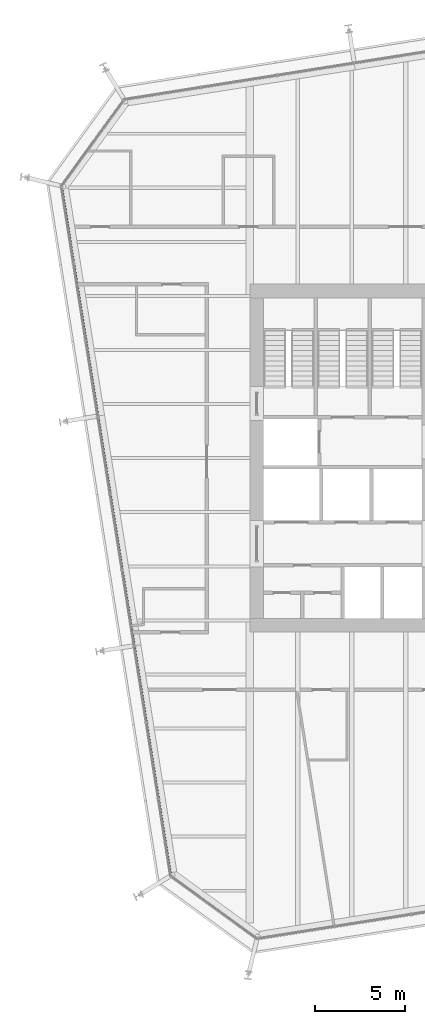
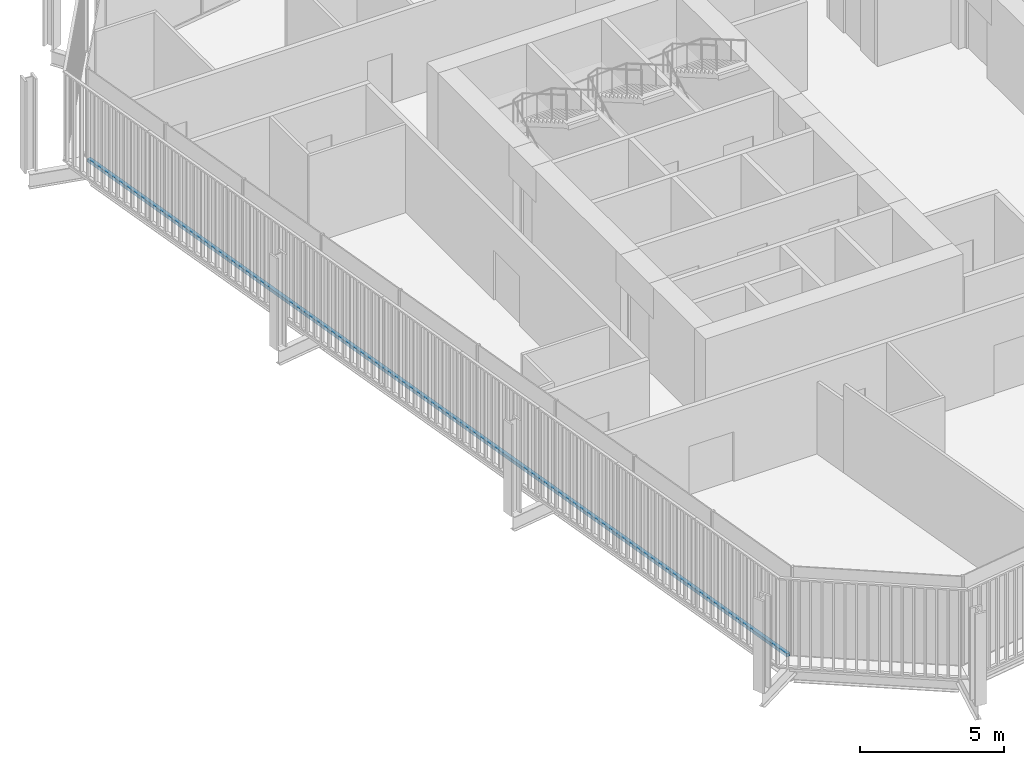
# One storey, part 5 of 21: 1 member, 1 element without a shape of its own.
"""IFC4 building model written with IfcOpenShell, lengths in metres."""

import ifcopenshell
import ifcopenshell.guid

model = None  # the IFC model being written
_history = None  # IfcOwnerHistory: only IFC2X3 demands one
_inside = {}  # id of a spatial element -> (the spatial element, [elements in it])
_under = {}  # id of a project, library or spatial element -> (it, [spatial elements below it])
_declared = {}  # id of a project -> (the project, [libraries it declares])
_typed = {}  # id of a type object -> (the type object, [elements of that type])
_made_of = {}  # id of a material, layer set ... -> (it, [elements and type objects made of it])


def new_model(schema):
    """Start an empty IFC model of exactly this schema.

    Asked for "IFC4X3", IfcOpenShell would pick the latest addendum, in which some entities
    have other attributes; the version numbers below select the first issue.
    IFC2X3 requires an IfcOwnerHistory on every rooted entity: one is made here for all.
    """
    global model, _history
    if schema == "IFC4X3":
        model = ifcopenshell.file(schema_version=(4, 3, 0, 0))
    else:
        model = ifcopenshell.file(schema=schema)
    _inside.clear()
    _under.clear()
    _declared.clear()
    _typed.clear()
    _made_of.clear()
    _history = None
    if model.schema == "IFC2X3":
        org = make("IfcOrganization", Name="unknown")
        user = make(
            "IfcPersonAndOrganization",
            ThePerson=make("IfcPerson", FamilyName="unknown"),
            TheOrganization=org,
        )
        app = make(
            "IfcApplication",
            ApplicationDeveloper=org,
            Version="unknown",
            ApplicationFullName="unknown",
            ApplicationIdentifier="unknown",
        )
        _history = make(
            "IfcOwnerHistory",
            OwningUser=user,
            OwningApplication=app,
            ChangeAction="ADDED",
            CreationDate=0,
        )
    return model


def make(cls, **values):
    """One entity of the class cls with the attributes given. An attribute that is None is left unset."""
    return model.create_entity(
        cls, **{name: value for name, value in values.items() if value is not None}
    )


def rooted(cls, **values):
    """An entity with a GlobalId (a new one), such as an element, a storey or a relation."""
    return make(cls, GlobalId=ifcopenshell.guid.new(), OwnerHistory=_history, **values)


def si_unit(unit_type, name, prefix=None):
    """IfcSIUnit, for example si_unit("LENGTHUNIT", "METRE", prefix="MILLI")."""
    return make("IfcSIUnit", UnitType=unit_type, Prefix=prefix, Name=name)


def assignment(units):
    """IfcUnitAssignment: the units of a project."""
    return None if units is None else make("IfcUnitAssignment", Units=units)


def point(xyz):
    """IfcCartesianPoint."""
    return None if xyz is None else make("IfcCartesianPoint", Coordinates=xyz)


def direction(xyz):
    """IfcDirection."""
    return None if xyz is None else make("IfcDirection", DirectionRatios=xyz)


def frame(location, z_axis=None, x_axis=None):
    """IfcAxis2Placement3D, a coordinate frame: its origin and axes. An axis left out is left unset."""
    return make(
        "IfcAxis2Placement3D",
        Location=point(location),
        Axis=direction(z_axis),
        RefDirection=direction(x_axis),
    )


def frame_2d(location, x_axis=None):
    """IfcAxis2Placement2D, a coordinate frame in the plane: its origin and x axis."""
    return make(
        "IfcAxis2Placement2D", Location=point(location), RefDirection=direction(x_axis)
    )


def origin():
    """The frame at (0, 0, 0) with its axes left unset."""
    return frame((0.0, 0.0, 0.0))


def origin_2d():
    """The frame at (0, 0) in the plane with its x axis left unset."""
    return frame_2d((0.0, 0.0))


def place(relative_to, where):
    """IfcLocalPlacement: puts the frame where relative to a parent placement (None: the world)."""
    return make(
        "IfcLocalPlacement", PlacementRelTo=relative_to, RelativePlacement=where
    )


def context(
    kind, dimensions, precision=None, world=None, true_north=None, identifier=None
):
    """IfcGeometricRepresentationContext, for example the 3D "Model" context."""
    return make(
        "IfcGeometricRepresentationContext",
        ContextIdentifier=identifier,
        ContextType=kind,
        CoordinateSpaceDimension=dimensions,
        Precision=precision,
        WorldCoordinateSystem=world,
        TrueNorth=true_north,
    )


def subcontext(parent, identifier, kind, view, scale=None):
    """IfcGeometricRepresentationSubContext, for example "Body" below "Model"."""
    return make(
        "IfcGeometricRepresentationSubContext",
        ContextIdentifier=identifier,
        ContextType=kind,
        ParentContext=parent,
        TargetScale=scale,
        TargetView=view,
    )


def project(units=None, contexts=None):
    """IfcProject with its units and contexts."""
    return rooted(
        "IfcProject",
        Name="project",
        RepresentationContexts=contexts,
        UnitsInContext=assignment(units),
    )


def spatial(cls, under=None, at=None, **own):
    """A site, building, storey or space (cls), placed at a placement, below another one or the project."""
    s = rooted(cls, ObjectPlacement=at, **own)
    if under is not None:
        _under.setdefault(under.id(), (under, []))[1].append(s)
    return s


def profile(cls, at=None, kind="AREA", **sizes):
    """A parametric profile (cls). Its sizes go by their IFC names, for example OverallWidth=200.0."""
    return make(cls, ProfileType=kind, Position=at, **sizes)


def rectangle(**sizes):
    """IfcRectangleProfileDef."""
    return profile("IfcRectangleProfileDef", **sizes)


def extrude(swept, where, along, depth):
    """IfcExtrudedAreaSolid: the profile swept, set in the frame where, extruded along a direction by depth."""
    return make(
        "IfcExtrudedAreaSolid",
        SweptArea=swept,
        Position=where,
        ExtrudedDirection=direction(along),
        Depth=depth,
    )


def shape(context_of_items, identifier, shape_type, items):
    """IfcShapeRepresentation: the items that make up one representation, for example the "Body"."""
    return make(
        "IfcShapeRepresentation",
        ContextOfItems=context_of_items,
        RepresentationIdentifier=identifier,
        RepresentationType=shape_type,
        Items=items,
    )


def material(Name=None, Category=None):
    """IfcMaterial."""
    return make("IfcMaterial", Name=Name, Category=Category)


def layer(
    of_material, thickness, ventilated=None, Name=None, Category=None, Priority=None
):
    """IfcMaterialLayer: one layer of a wall or slab, of a material (None: an air gap)."""
    return make(
        "IfcMaterialLayer",
        Material=of_material,
        LayerThickness=thickness,
        IsVentilated=ventilated,
        Name=Name,
        Category=Category,
        Priority=Priority,
    )


def layer_set(layers, Name=None):
    """IfcMaterialLayerSet."""
    return make("IfcMaterialLayerSet", MaterialLayers=layers, LayerSetName=Name)


def material_profile(
    of_material, cross_section, Name=None, Category=None, Priority=None
):
    """IfcMaterialProfile: a cross section and its material."""
    return make(
        "IfcMaterialProfile",
        Name=Name,
        Material=of_material,
        Profile=cross_section,
        Priority=Priority,
        Category=Category,
    )


def profile_set(profiles, Name=None, composite=None):
    """IfcMaterialProfileSet."""
    return make(
        "IfcMaterialProfileSet",
        Name=Name,
        MaterialProfiles=profiles,
        CompositeProfile=composite,
    )


def made_of(thing, what):
    """Note that an element or type object is made of a material, layer set ...; save() writes the relation."""
    if what is not None:
        _made_of.setdefault(what.id(), (what, []))[1].append(thing)
    return thing


def type_object(cls, material=None, **own):
    """A type object (cls), such as IfcWallType, which elements share."""
    return made_of(rooted(cls, **own), material)


def element(
    cls,
    number,
    at=None,
    inside=None,
    cuts=None,
    type_object=None,
    material=None,
    context=None,
    identifier="Body",
    shape_type=None,
    held_by="IfcProductDefinitionShape",
    body=None,
    shapes=None,
    **own,
):
    """One element of the class cls, such as IfcWall. Its Tag is "e" and its number.

    at: its placement. inside: the storey or other place that contains it. cuts: it is an
    opening in that element (IfcRelVoidsElement). A single representation is given by context,
    identifier, shape_type and body (its items); several are given by shapes. held_by: the class
    of the entity that holds the representations. save() writes the other relations.
    """
    e = rooted(cls, Tag="e%d" % number, ObjectPlacement=at, **own)
    if body is not None:
        shapes = [shape(context, identifier, shape_type, body)]
    if shapes is not None:
        e.Representation = make(held_by, Representations=shapes)
    if inside is not None:
        _inside.setdefault(inside.id(), (inside, []))[1].append(e)
    if cuts is not None:
        rooted(
            "IfcRelVoidsElement", RelatingBuildingElement=cuts, RelatedOpeningElement=e
        )
    if type_object is not None:
        _typed.setdefault(type_object.id(), (type_object, []))[1].append(e)
    return made_of(e, material)


def aggregate(whole, parts):
    """IfcRelAggregates: a whole, such as a stair, and the parts it consists of."""
    return rooted("IfcRelAggregates", RelatingObject=whole, RelatedObjects=parts)


def save(model, path):
    """Write the relations noted so far, then the file.

    IfcRelAggregates (storeys below a building ...), IfcRelContainedInSpatialStructure (elements
    in a storey), IfcRelDefinesByType, IfcRelAssociatesMaterial and IfcRelDeclares: one each for
    every whole, place, type object, material and project.
    """
    for whole, parts in _under.values():
        aggregate(whole, parts)
    for where, things in _inside.values():
        rooted(
            "IfcRelContainedInSpatialStructure",
            RelatedElements=things,
            RelatingStructure=where,
        )
    for kind, things in _typed.values():
        rooted("IfcRelDefinesByType", RelatedObjects=things, RelatingType=kind)
    for what, things in _made_of.values():
        rooted("IfcRelAssociatesMaterial", RelatedObjects=things, RelatingMaterial=what)
    for by, libraries in _declared.values():
        rooted("IfcRelDeclares", RelatingContext=by, RelatedDefinitions=libraries)
    model.write(path)


model = new_model("IFC4")

# Units and contexts
model_context = context("Model", 3, precision=1e-05, world=origin(), true_north=direction((0.0, 1.0)))
body_context = subcontext(model_context, "Body", "Model", "MODEL_VIEW")
ifc_project = project(units=[si_unit("LENGTHUNIT", "METRE"), si_unit("AREAUNIT", "SQUARE_METRE"), si_unit("VOLUMEUNIT", "CUBIC_METRE"), si_unit("PLANEANGLEUNIT", "RADIAN"), si_unit("MASSUNIT", "GRAM", prefix="KILO")], contexts=[model_context])

# Site, building, storey
site_placement = place(None, origin())
site = spatial("IfcSite", under=ifc_project, at=site_placement, CompositionType="ELEMENT")
building_placement = place(site_placement, origin())
building = spatial("IfcBuilding", under=site, at=building_placement, Name="Millrace Tower", CompositionType="ELEMENT")
storey_placement = place(building_placement, frame((0.0, 0.0, 164.60009765625)))
storey = spatial("IfcBuildingStorey", under=building, at=storey_placement, Name="L37", CompositionType="ELEMENT", Elevation=164.60009765625)

# Curtain wall, member
ifc_material_1 = material(Name="Aluminium and glass", Category="aluminium")
ifc_layer = layer(ifc_material_1, 0.14990234375)
ifc_layer_set = layer_set([ifc_layer], Name="Aluminium and glass")
curtain_wall_type = type_object("IfcCurtainWallType", Name="CW-1 office vision curtain wall", PredefinedType="NOTDEFINED", material=ifc_layer_set)
curtain_wall_placement = place(storey_placement, origin())
curtain_wall = element("IfcCurtainWall", 1, at=curtain_wall_placement, inside=storey, type_object=curtain_wall_type, Name="Curtain wall C-F08 L37", PredefinedType="NOTDEFINED")
ifc_material_2 = material(Name="Aluminium", Category="aluminium")
ifc_material_profile = material_profile(ifc_material_2, rectangle(XDim=0.14990234375, YDim=0.139892578125, at=origin_2d()))
ifc_profile_set = profile_set([ifc_material_profile], Name="Aluminium")
member_type = type_object("IfcMemberType", Name="CW-1 office vision curtain wall transom", PredefinedType="USERDEFINED", material=ifc_profile_set)
member_placement = place(storey_placement, frame((-25.09619140625, 14.97509765625, 0.06982421875), z_axis=(0.156433422663, -0.987688505691, 0.0), x_axis=(0.987688505691, 0.156433422663, 0.0)))
member = element("IfcMember", 2, at=member_placement, type_object=member_type, Name="CW1 transom C-F08.1", ObjectType="TRANSOM", PredefinedType="USERDEFINED", context=body_context, shape_type="SweptSolid", body=[
    extrude(rectangle(XDim=0.14990234375, YDim=0.139892578125, at=origin_2d()), origin(), (0.0, 0.0, 1.0), 38.5),
])
aggregate(curtain_wall, [member])

save(model, "model.ifc")
